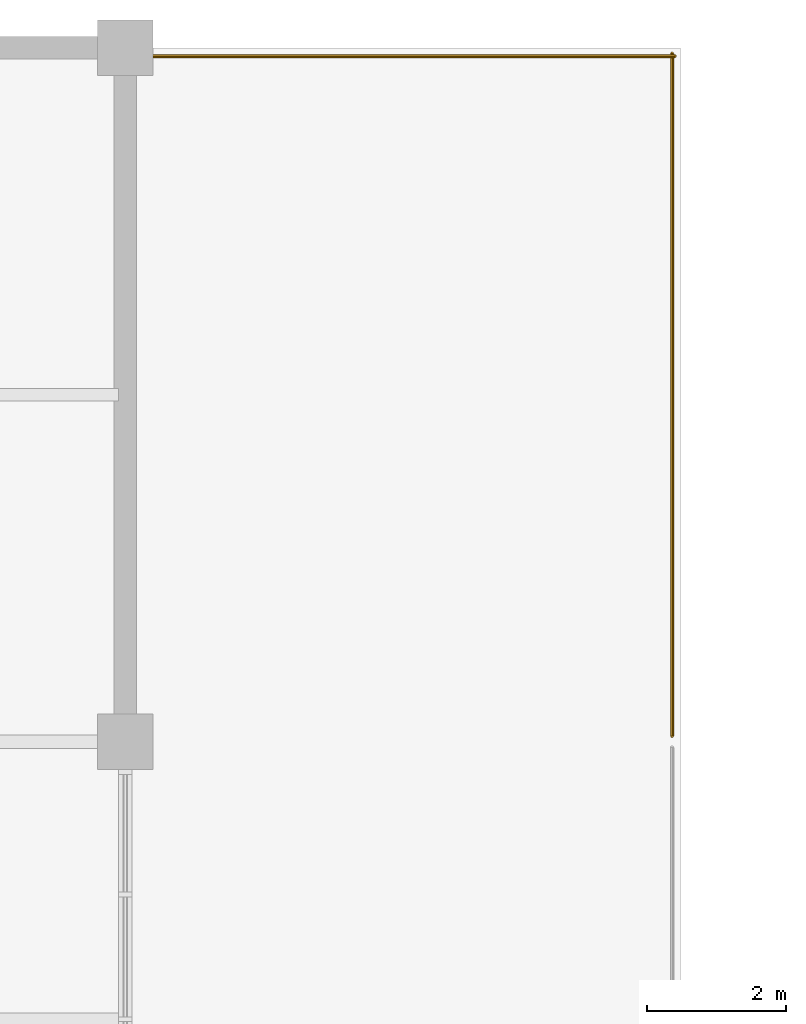
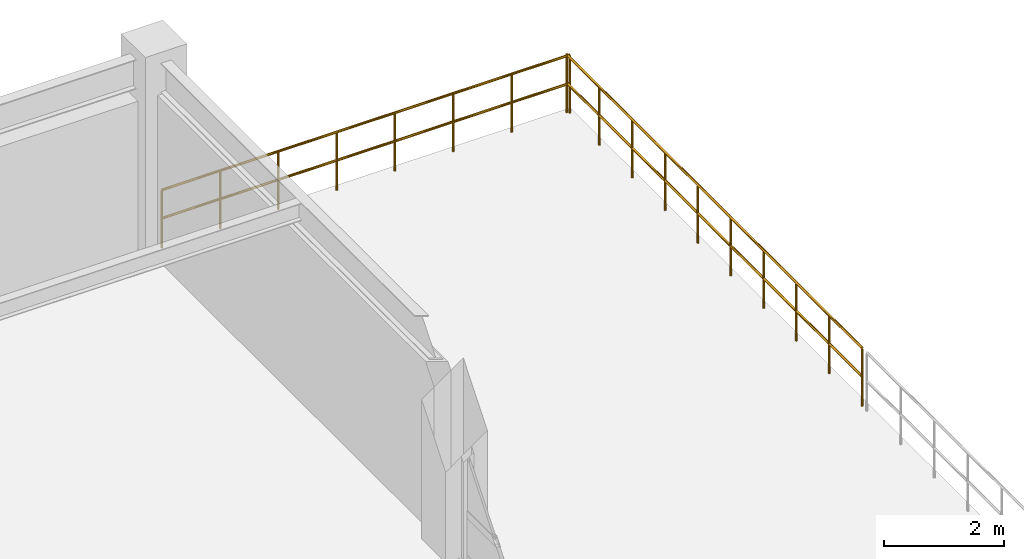
# One storey, part 118 of 118: 2 railings.
"""IFC4 building model written with IfcOpenShell, lengths in metres."""

import ifcopenshell
import ifcopenshell.guid

model = None  # the IFC model being written
_history = None  # IfcOwnerHistory: only IFC2X3 demands one
_inside = {}  # id of a spatial element -> (the spatial element, [elements in it])
_under = {}  # id of a project, library or spatial element -> (it, [spatial elements below it])
_declared = {}  # id of a project -> (the project, [libraries it declares])
_typed = {}  # id of a type object -> (the type object, [elements of that type])
_made_of = {}  # id of a material, layer set ... -> (it, [elements and type objects made of it])


def new_model(schema):
    """Start an empty IFC model of exactly this schema.

    Asked for "IFC4X3", IfcOpenShell would pick the latest addendum, in which some entities
    have other attributes; the version numbers below select the first issue.
    IFC2X3 requires an IfcOwnerHistory on every rooted entity: one is made here for all.
    """
    global model, _history
    if schema == "IFC4X3":
        model = ifcopenshell.file(schema_version=(4, 3, 0, 0))
    else:
        model = ifcopenshell.file(schema=schema)
    _inside.clear()
    _under.clear()
    _declared.clear()
    _typed.clear()
    _made_of.clear()
    _history = None
    if model.schema == "IFC2X3":
        org = make("IfcOrganization", Name="unknown")
        user = make(
            "IfcPersonAndOrganization",
            ThePerson=make("IfcPerson", FamilyName="unknown"),
            TheOrganization=org,
        )
        app = make(
            "IfcApplication",
            ApplicationDeveloper=org,
            Version="unknown",
            ApplicationFullName="unknown",
            ApplicationIdentifier="unknown",
        )
        _history = make(
            "IfcOwnerHistory",
            OwningUser=user,
            OwningApplication=app,
            ChangeAction="ADDED",
            CreationDate=0,
        )
    return model


def make(cls, **values):
    """One entity of the class cls with the attributes given. An attribute that is None is left unset."""
    return model.create_entity(
        cls, **{name: value for name, value in values.items() if value is not None}
    )


def rooted(cls, **values):
    """An entity with a GlobalId (a new one), such as an element, a storey or a relation."""
    return make(cls, GlobalId=ifcopenshell.guid.new(), OwnerHistory=_history, **values)


def si_unit(unit_type, name, prefix=None):
    """IfcSIUnit, for example si_unit("LENGTHUNIT", "METRE", prefix="MILLI")."""
    return make("IfcSIUnit", UnitType=unit_type, Prefix=prefix, Name=name)


def assignment(units):
    """IfcUnitAssignment: the units of a project."""
    return None if units is None else make("IfcUnitAssignment", Units=units)


def point(xyz):
    """IfcCartesianPoint."""
    return None if xyz is None else make("IfcCartesianPoint", Coordinates=xyz)


def direction(xyz):
    """IfcDirection."""
    return None if xyz is None else make("IfcDirection", DirectionRatios=xyz)


def frame(location, z_axis=None, x_axis=None):
    """IfcAxis2Placement3D, a coordinate frame: its origin and axes. An axis left out is left unset."""
    return make(
        "IfcAxis2Placement3D",
        Location=point(location),
        Axis=direction(z_axis),
        RefDirection=direction(x_axis),
    )


def frame_2d(location, x_axis=None):
    """IfcAxis2Placement2D, a coordinate frame in the plane: its origin and x axis."""
    return make(
        "IfcAxis2Placement2D", Location=point(location), RefDirection=direction(x_axis)
    )


def origin():
    """The frame at (0, 0, 0) with its axes left unset."""
    return frame((0.0, 0.0, 0.0))


def origin_2d():
    """The frame at (0, 0) in the plane with its x axis left unset."""
    return frame_2d((0.0, 0.0))


def place(relative_to, where):
    """IfcLocalPlacement: puts the frame where relative to a parent placement (None: the world)."""
    return make(
        "IfcLocalPlacement", PlacementRelTo=relative_to, RelativePlacement=where
    )


def context(
    kind, dimensions, precision=None, world=None, true_north=None, identifier=None
):
    """IfcGeometricRepresentationContext, for example the 3D "Model" context."""
    return make(
        "IfcGeometricRepresentationContext",
        ContextIdentifier=identifier,
        ContextType=kind,
        CoordinateSpaceDimension=dimensions,
        Precision=precision,
        WorldCoordinateSystem=world,
        TrueNorth=true_north,
    )


def subcontext(parent, identifier, kind, view, scale=None):
    """IfcGeometricRepresentationSubContext, for example "Body" below "Model"."""
    return make(
        "IfcGeometricRepresentationSubContext",
        ContextIdentifier=identifier,
        ContextType=kind,
        ParentContext=parent,
        TargetScale=scale,
        TargetView=view,
    )


def project(units=None, contexts=None):
    """IfcProject with its units and contexts."""
    return rooted(
        "IfcProject",
        Name="project",
        RepresentationContexts=contexts,
        UnitsInContext=assignment(units),
    )


def spatial(cls, under=None, at=None, **own):
    """A site, building, storey or space (cls), placed at a placement, below another one or the project."""
    s = rooted(cls, ObjectPlacement=at, **own)
    if under is not None:
        _under.setdefault(under.id(), (under, []))[1].append(s)
    return s


def profile(cls, at=None, kind="AREA", **sizes):
    """A parametric profile (cls). Its sizes go by their IFC names, for example OverallWidth=200.0."""
    return make(cls, ProfileType=kind, Position=at, **sizes)


def circle(**sizes):
    """IfcCircleProfileDef."""
    return profile("IfcCircleProfileDef", **sizes)


def extrude(swept, where, along, depth):
    """IfcExtrudedAreaSolid: the profile swept, set in the frame where, extruded along a direction by depth."""
    return make(
        "IfcExtrudedAreaSolid",
        SweptArea=swept,
        Position=where,
        ExtrudedDirection=direction(along),
        Depth=depth,
    )


def shape(context_of_items, identifier, shape_type, items):
    """IfcShapeRepresentation: the items that make up one representation, for example the "Body"."""
    return make(
        "IfcShapeRepresentation",
        ContextOfItems=context_of_items,
        RepresentationIdentifier=identifier,
        RepresentationType=shape_type,
        Items=items,
    )


def material(Name=None, Category=None):
    """IfcMaterial."""
    return make("IfcMaterial", Name=Name, Category=Category)


def made_of(thing, what):
    """Note that an element or type object is made of a material, layer set ...; save() writes the relation."""
    if what is not None:
        _made_of.setdefault(what.id(), (what, []))[1].append(thing)
    return thing


def type_object(cls, material=None, **own):
    """A type object (cls), such as IfcWallType, which elements share."""
    return made_of(rooted(cls, **own), material)


def element(
    cls,
    number,
    at=None,
    inside=None,
    cuts=None,
    type_object=None,
    material=None,
    context=None,
    identifier="Body",
    shape_type=None,
    held_by="IfcProductDefinitionShape",
    body=None,
    shapes=None,
    **own,
):
    """One element of the class cls, such as IfcWall. Its Tag is "e" and its number.

    at: its placement. inside: the storey or other place that contains it. cuts: it is an
    opening in that element (IfcRelVoidsElement). A single representation is given by context,
    identifier, shape_type and body (its items); several are given by shapes. held_by: the class
    of the entity that holds the representations. save() writes the other relations.
    """
    e = rooted(cls, Tag="e%d" % number, ObjectPlacement=at, **own)
    if body is not None:
        shapes = [shape(context, identifier, shape_type, body)]
    if shapes is not None:
        e.Representation = make(held_by, Representations=shapes)
    if inside is not None:
        _inside.setdefault(inside.id(), (inside, []))[1].append(e)
    if cuts is not None:
        rooted(
            "IfcRelVoidsElement", RelatingBuildingElement=cuts, RelatedOpeningElement=e
        )
    if type_object is not None:
        _typed.setdefault(type_object.id(), (type_object, []))[1].append(e)
    return made_of(e, material)


def aggregate(whole, parts):
    """IfcRelAggregates: a whole, such as a stair, and the parts it consists of."""
    return rooted("IfcRelAggregates", RelatingObject=whole, RelatedObjects=parts)


def save(model, path):
    """Write the relations noted so far, then the file.

    IfcRelAggregates (storeys below a building ...), IfcRelContainedInSpatialStructure (elements
    in a storey), IfcRelDefinesByType, IfcRelAssociatesMaterial and IfcRelDeclares: one each for
    every whole, place, type object, material and project.
    """
    for whole, parts in _under.values():
        aggregate(whole, parts)
    for where, things in _inside.values():
        rooted(
            "IfcRelContainedInSpatialStructure",
            RelatedElements=things,
            RelatingStructure=where,
        )
    for kind, things in _typed.values():
        rooted("IfcRelDefinesByType", RelatedObjects=things, RelatingType=kind)
    for what, things in _made_of.values():
        rooted("IfcRelAssociatesMaterial", RelatedObjects=things, RelatingMaterial=what)
    for by, libraries in _declared.values():
        rooted("IfcRelDeclares", RelatingContext=by, RelatedDefinitions=libraries)
    model.write(path)


model = new_model("IFC4")

# Units and contexts
model_context = context("Model", 3, precision=1e-05, world=origin(), true_north=direction((0.0, 1.0)))
body_context = subcontext(model_context, "Body", "Model", "MODEL_VIEW")
ifc_project = project(units=[si_unit("LENGTHUNIT", "METRE"), si_unit("AREAUNIT", "SQUARE_METRE"), si_unit("VOLUMEUNIT", "CUBIC_METRE"), si_unit("PLANEANGLEUNIT", "RADIAN"), si_unit("MASSUNIT", "GRAM", prefix="KILO")], contexts=[model_context])

# Site, building, storey
site_placement = place(None, origin())
site = spatial("IfcSite", under=ifc_project, at=site_placement, CompositionType="ELEMENT")
building_placement = place(site_placement, origin())
building = spatial("IfcBuilding", under=site, at=building_placement, Name="Haebicheon Civic Stadium", CompositionType="ELEMENT")
storey_placement = place(building_placement, frame((0.0, 0.0, 14.39990234375)))
storey = spatial("IfcBuildingStorey", under=building, at=storey_placement, Name="L04", CompositionType="ELEMENT", Elevation=14.39990234375)

# Railings
ifc_material = material(Name="Stainless steel 316 and laminated glass", Category="steel")
railing_type = type_object("IfcRailingType", Name="RL-BAL-1200", PredefinedType="BALUSTRADE", material=ifc_material)
railing_1_placement = place(storey_placement, frame((192.080078125, 177.8798828125, 0.0)))
element("IfcRailing", 1, at=railing_1_placement, inside=storey, type_object=railing_type, material=ifc_material, Name="L04 terrace perimeter balustrade 16", PredefinedType="BALUSTRADE", context=body_context, shape_type="SweptSolid", body=[
    extrude(circle(Radius=0.02392578125, at=origin_2d()), frame((0.0, 0.0, 1.17578125), z_axis=(1.0, 0.0, 0.0), x_axis=(0.0, 1.0, 0.0)), (0.0, 0.0, 1.0), 7.83984375),
    extrude(circle(Radius=0.02392578125, at=origin_2d()), frame((0.0, 0.0, 0.60009765625), z_axis=(1.0, 0.0, 0.0), x_axis=(0.0, 1.0, 0.0)), (0.0, 0.0, 1.0), 7.83984375),
    extrude(circle(Radius=0.02099609375, at=origin_2d()), origin(), (0.0, 0.0, 1.0), 1.15185546875),
    extrude(circle(Radius=0.02099609375, at=origin_2d()), frame((1.119873046875, 0.0, 0.0)), (0.0, 0.0, 1.0), 1.15185546875),
    extrude(circle(Radius=0.02099609375, at=origin_2d()), frame((2.239990234375, 0.0, 0.0)), (0.0, 0.0, 1.0), 1.15185546875),
    extrude(circle(Radius=0.02099609375, at=origin_2d()), frame((3.35986328125, 0.0, 0.0)), (0.0, 0.0, 1.0), 1.15185546875),
    extrude(circle(Radius=0.02099609375, at=origin_2d()), frame((4.47998046875, 0.0, 0.0)), (0.0, 0.0, 1.0), 1.15185546875),
    extrude(circle(Radius=0.02099609375, at=origin_2d()), frame((5.599853515625, 0.0, 0.0)), (0.0, 0.0, 1.0), 1.15185546875),
    extrude(circle(Radius=0.02099609375, at=origin_2d()), frame((6.719970703125, 0.0, 0.0)), (0.0, 0.0, 1.0), 1.15185546875),
    extrude(circle(Radius=0.02099609375, at=origin_2d()), frame((7.83984375, 0.0, 0.0)), (0.0, 0.0, 1.0), 1.15185546875),
])
railing_2_placement = place(storey_placement, frame((199.8798828125, 168.080078125, 0.0)))
element("IfcRailing", 2, at=railing_2_placement, inside=storey, type_object=railing_type, material=ifc_material, Name="L04 terrace perimeter balustrade 17", PredefinedType="BALUSTRADE", context=body_context, shape_type="SweptSolid", body=[
    extrude(circle(Radius=0.02392578125, at=origin_2d()), frame((0.0, 0.0, 1.17578125), z_axis=(0.0, 1.0, 0.0), x_axis=(-1.0, 0.0, 0.0)), (0.0, 0.0, 1.0), 9.83984375),
    extrude(circle(Radius=0.02392578125, at=origin_2d()), frame((0.0, 0.0, 0.60009765625), z_axis=(0.0, 1.0, 0.0), x_axis=(-1.0, 0.0, 0.0)), (0.0, 0.0, 1.0), 9.83984375),
    extrude(circle(Radius=0.02099609375, at=origin_2d()), origin(), (0.0, 0.0, 1.0), 1.15185546875),
    extrude(circle(Radius=0.02099609375, at=origin_2d()), frame((0.0, 1.09326171875, 0.0)), (0.0, 0.0, 1.0), 1.15185546875),
    extrude(circle(Radius=0.02099609375, at=origin_2d()), frame((0.0, 2.1865234375, 0.0)), (0.0, 0.0, 1.0), 1.15185546875),
    extrude(circle(Radius=0.02099609375, at=origin_2d()), frame((0.0, 3.280029296875, 0.0)), (0.0, 0.0, 1.0), 1.15185546875),
    extrude(circle(Radius=0.02099609375, at=origin_2d()), frame((0.0, 4.373291015625, 0.0)), (0.0, 0.0, 1.0), 1.15185546875),
    extrude(circle(Radius=0.02099609375, at=origin_2d()), frame((0.0, 5.466552734375, 0.0)), (0.0, 0.0, 1.0), 1.15185546875),
    extrude(circle(Radius=0.02099609375, at=origin_2d()), frame((0.0, 6.559814453125, 0.0)), (0.0, 0.0, 1.0), 1.15185546875),
    extrude(circle(Radius=0.02099609375, at=origin_2d()), frame((0.0, 7.6533203125, 0.0)), (0.0, 0.0, 1.0), 1.15185546875),
    extrude(circle(Radius=0.02099609375, at=origin_2d()), frame((0.0, 8.74658203125, 0.0)), (0.0, 0.0, 1.0), 1.15185546875),
    extrude(circle(Radius=0.02099609375, at=origin_2d()), frame((0.0, 9.83984375, 0.0)), (0.0, 0.0, 1.0), 1.15185546875),
])

save(model, "model.ifc")
